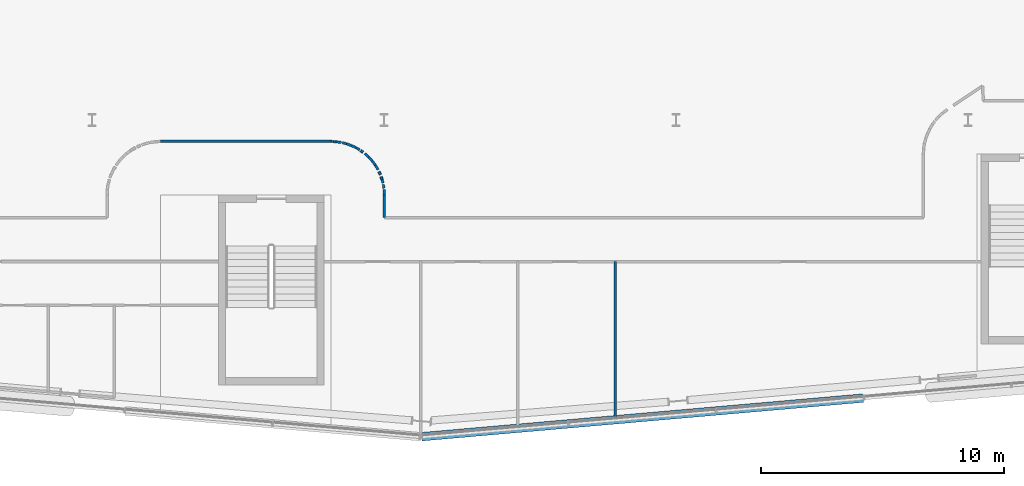
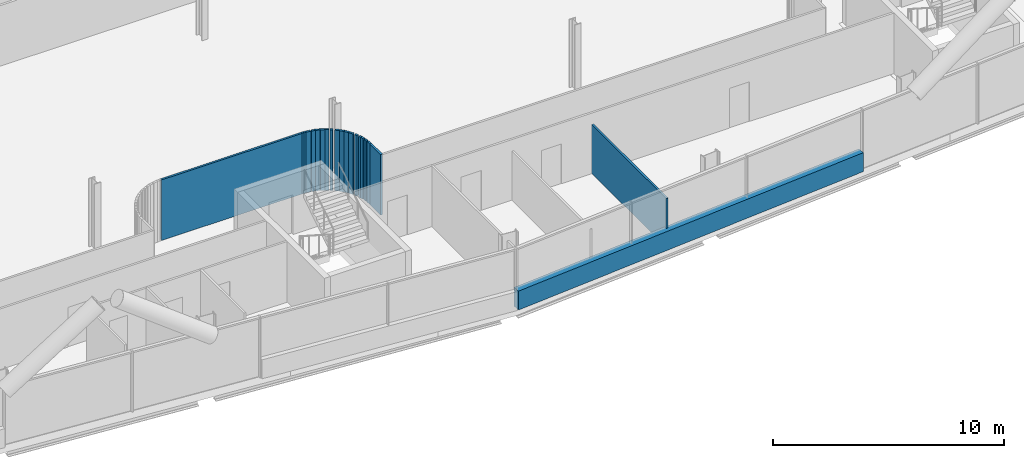
# One storey, part 16 of 30: 21 walls.
"""IFC4 building model written with IfcOpenShell, lengths in metres."""

from ifc_helpers import new_model, si_unit, direction, frame, frame_2d, origin, place, context, subcontext, project, spatial, rectangle, extrude, material, layer, layer_set, type_object, element, save


model = new_model("IFC4")

# Units and contexts
model_context = context("Model", 3, precision=1e-05, world=origin(), true_north=direction((0.0, 1.0)))
body_context = subcontext(model_context, "Body", "Model", "MODEL_VIEW")
ifc_project = project(units=[si_unit("LENGTHUNIT", "METRE"), si_unit("AREAUNIT", "SQUARE_METRE"), si_unit("VOLUMEUNIT", "CUBIC_METRE"), si_unit("PLANEANGLEUNIT", "RADIAN"), si_unit("MASSUNIT", "GRAM", prefix="KILO")], contexts=[model_context])

# Site, building, storey
site_placement = place(None, origin())
site = spatial("IfcSite", under=ifc_project, at=site_placement, CompositionType="ELEMENT")
building_placement = place(site_placement, origin())
building = spatial("IfcBuilding", under=site, at=building_placement, Name="Wharfspan Tower", CompositionType="ELEMENT")
storey_placement = place(building_placement, frame((0.0, 0.0, 100.300049)))
storey = spatial("IfcBuildingStorey", under=building, at=storey_placement, Name="L22", CompositionType="ELEMENT", Elevation=100.300049)

# Walls
ifc_material_1 = material(Name="Gypsum board on steel studs", Category="steel")
ifc_layer_1 = layer(ifc_material_1, 0.100098)
ifc_layer_set_1 = layer_set([ifc_layer_1], Name="Gypsum board on steel studs")
wall_type_1 = type_object("IfcWallType", Name="Compartment wall 100 EI 60", PredefinedType="PARTITIONING", material=ifc_layer_set_1)
wall_1_placement = place(storey_placement, frame((38.810059, 10.620117, 0.0), z_axis=(0.0, 0.0, 1.0), x_axis=(1.0, 0.0, 0.0)))
element("IfcWall", 1, at=wall_1_placement, inside=storey, type_object=wall_type_1, Name="Partition L22.w046", PredefinedType="PARTITIONING", context=body_context, shape_type="SweptSolid", body=[
    extrude(rectangle(XDim=7.0, YDim=0.100098, at=frame_2d((3.5, 0.0))), origin(), (0.0, 0.0, 1.0), 3.199951),
])
wall_2_placement = place(storey_placement, frame((45.909912, 10.61499, 0.0), z_axis=(0.0, 0.0, 1.0), x_axis=(-0.998681, 0.051277, 0.0)))
element("IfcWall", 2, at=wall_2_placement, inside=storey, type_object=wall_type_1, Name="Partition L22.w049", PredefinedType="PARTITIONING", context=body_context, shape_type="SweptSolid", body=[
    extrude(rectangle(XDim=0.100098, YDim=0.100098, at=frame_2d((0.050049, 0.0))), origin(), (0.0, 0.0, 1.0), 3.199951),
])
wall_3_placement = place(storey_placement, frame((46.024902, 10.60498, 0.0), z_axis=(0.0, 0.0, 1.0), x_axis=(-0.996234, 0.086721, 0.0)))
element("IfcWall", 3, at=wall_3_placement, inside=storey, type_object=wall_type_1, Name="Partition L22.w050", PredefinedType="PARTITIONING", context=body_context, shape_type="SweptSolid", body=[
    extrude(rectangle(XDim=0.115479, YDim=0.100098, at=frame_2d((0.057617, 0.0))), origin(), (0.0, 0.0, 1.0), 3.199951),
])
wall_4_placement = place(storey_placement, frame((46.23999, 10.574951, 0.0), z_axis=(0.0, 0.0, 1.0), x_axis=(-0.990394, 0.138273, 0.0)))
element("IfcWall", 4, at=wall_4_placement, inside=storey, type_object=wall_type_1, Name="Partition L22.w051", PredefinedType="PARTITIONING", context=body_context, shape_type="SweptSolid", body=[
    extrude(rectangle(XDim=0.217285, YDim=0.100098, at=frame_2d((0.108643, 0.0))), origin(), (0.0, 0.0, 1.0), 3.199951),
])
wall_5_placement = place(storey_placement, frame((46.449951, 10.524902, 0.0), z_axis=(0.0, 0.0, 1.0), x_axis=(-0.971812, 0.235765, 0.0)))
element("IfcWall", 5, at=wall_5_placement, inside=storey, type_object=wall_type_1, Name="Partition L22.w052", PredefinedType="PARTITIONING", context=body_context, shape_type="SweptSolid", body=[
    extrude(rectangle(XDim=0.169922, YDim=0.100098, at=frame_2d((0.084961, 0.0))), origin(), (0.0, 0.0, 1.0), 3.199951),
])
wall_6_placement = place(storey_placement, frame((46.649902, 10.449951, 0.0), z_axis=(0.0, 0.0, 1.0), x_axis=(-0.936373, 0.350997, 0.0)))
element("IfcWall", 6, at=wall_6_placement, inside=storey, type_object=wall_type_1, Name="Partition L22.w053", PredefinedType="PARTITIONING", context=body_context, shape_type="SweptSolid", body=[
    extrude(rectangle(XDim=0.213623, YDim=0.100098, at=frame_2d((0.106934, 0.0))), origin(), (0.0, 0.0, 1.0), 3.199951),
])
wall_7_placement = place(storey_placement, frame((46.850098, 10.360107, 0.0), z_axis=(0.0, 0.0, 1.0), x_axis=(-0.908296, 0.418339, 0.0)))
element("IfcWall", 7, at=wall_7_placement, inside=storey, type_object=wall_type_1, Name="Partition L22.w054", PredefinedType="PARTITIONING", context=body_context, shape_type="SweptSolid", body=[
    extrude(rectangle(XDim=0.214844, YDim=0.100098, at=frame_2d((0.107422, 0.0))), origin(), (0.0, 0.0, 1.0), 3.199951),
])
wall_8_placement = place(storey_placement, frame((46.995117, 10.27002, 0.0), z_axis=(0.0, 0.0, 1.0), x_axis=(-0.849441, 0.527683, 0.0)))
element("IfcWall", 8, at=wall_8_placement, inside=storey, type_object=wall_type_1, Name="Partition L22.w055", PredefinedType="PARTITIONING", context=body_context, shape_type="SweptSolid", body=[
    extrude(rectangle(XDim=0.170654, YDim=0.100098, at=frame_2d((0.085449, 0.0))), origin(), (0.0, 0.0, 1.0), 3.199951),
])
wall_9_placement = place(storey_placement, frame((47.129883, 10.175049, 0.0), z_axis=(0.0, 0.0, 1.0), x_axis=(-0.804696, 0.593696, 0.0)))
element("IfcWall", 9, at=wall_9_placement, inside=storey, type_object=wall_type_1, Name="Partition L22.w056", PredefinedType="PARTITIONING", context=body_context, shape_type="SweptSolid", body=[
    extrude(rectangle(XDim=0.11792, YDim=0.100098, at=frame_2d((0.059082, 0.0))), origin(), (0.0, 0.0, 1.0), 3.199951),
])
wall_10_placement = place(storey_placement, frame((47.36499, 9.975098, 0.0), z_axis=(0.0, 0.0, 1.0), x_axis=(-0.740762, 0.671775, 0.0)))
element("IfcWall", 10, at=wall_10_placement, inside=storey, type_object=wall_type_1, Name="Partition L22.w057", PredefinedType="PARTITIONING", context=body_context, shape_type="SweptSolid", body=[
    extrude(rectangle(XDim=0.21582, YDim=0.100098, at=frame_2d((0.10791, 0.0))), origin(), (0.0, 0.0, 1.0), 3.199951),
])
wall_11_placement = place(storey_placement, frame((47.51001, 9.814941, 0.0), z_axis=(0.0, 0.0, 1.0), x_axis=(-0.67121, 0.741269, 0.0)))
element("IfcWall", 11, at=wall_11_placement, inside=storey, type_object=wall_type_1, Name="Partition L22.w059", PredefinedType="PARTITIONING", context=body_context, shape_type="SweptSolid", body=[
    extrude(rectangle(XDim=0.216064, YDim=0.100098, at=frame_2d((0.10791, 0.0))), origin(), (0.0, 0.0, 1.0), 3.199951),
])
wall_12_placement = place(storey_placement, frame((47.639893, 9.639893, 0.0), z_axis=(0.0, 0.0, 1.0), x_axis=(-0.595869, 0.803079, 0.0)))
element("IfcWall", 12, at=wall_12_placement, inside=storey, type_object=wall_type_1, Name="Partition L22.w060", PredefinedType="PARTITIONING", context=body_context, shape_type="SweptSolid", body=[
    extrude(rectangle(XDim=0.218018, YDim=0.100098, at=frame_2d((0.108887, 0.0))), origin(), (0.0, 0.0, 1.0), 3.199951),
])
wall_13_placement = place(storey_placement, frame((47.75, 9.455078, 0.0), z_axis=(0.0, 0.0, 1.0), x_axis=(-0.511823, 0.859091, 0.0)))
element("IfcWall", 13, at=wall_13_placement, inside=storey, type_object=wall_type_1, Name="Partition L22.w061", PredefinedType="PARTITIONING", context=body_context, shape_type="SweptSolid", body=[
    extrude(rectangle(XDim=0.215088, YDim=0.100098, at=frame_2d((0.107422, 0.0))), origin(), (0.0, 0.0, 1.0), 3.199951),
])
wall_14_placement = place(storey_placement, frame((47.844971, 9.26001, 0.0), z_axis=(0.0, 0.0, 1.0), x_axis=(-0.431047, 0.902325, 0.0)))
element("IfcWall", 14, at=wall_14_placement, inside=storey, type_object=wall_type_1, Name="Partition L22.w062", PredefinedType="PARTITIONING", context=body_context, shape_type="SweptSolid", body=[
    extrude(rectangle(XDim=0.127441, YDim=0.100098, at=frame_2d((0.063721, 0.0))), origin(), (0.0, 0.0, 1.0), 3.199951),
])
wall_15_placement = place(storey_placement, frame((47.915039, 9.054932, 0.0), z_axis=(0.0, 0.0, 1.0), x_axis=(-0.341744, 0.939796, 0.0)))
element("IfcWall", 15, at=wall_15_placement, inside=storey, type_object=wall_type_1, Name="Partition L22.w063", PredefinedType="PARTITIONING", context=body_context, shape_type="SweptSolid", body=[
    extrude(rectangle(XDim=0.117188, YDim=0.100098, at=frame_2d((0.058594, 0.0))), origin(), (0.0, 0.0, 1.0), 3.199951),
])
wall_16_placement = place(storey_placement, frame((47.955078, 8.905029, 0.0), z_axis=(0.0, 0.0, 1.0), x_axis=(-0.258054, 0.966129, 0.0)))
element("IfcWall", 16, at=wall_16_placement, inside=storey, type_object=wall_type_1, Name="Partition L22.w064", PredefinedType="PARTITIONING", context=body_context, shape_type="SweptSolid", body=[
    extrude(rectangle(XDim=0.155273, YDim=0.100098, at=frame_2d((0.077637, 0.0))), origin(), (0.0, 0.0, 1.0), 3.199951),
])
wall_17_placement = place(storey_placement, frame((47.98999, 8.695068, 0.0), z_axis=(0.0, 0.0, 1.0), x_axis=(-0.132375, 0.991198, 0.0)))
element("IfcWall", 17, at=wall_17_placement, inside=storey, type_object=wall_type_1, Name="Partition L22.w065", PredefinedType="PARTITIONING", context=body_context, shape_type="SweptSolid", body=[
    extrude(rectangle(XDim=0.151123, YDim=0.100098, at=frame_2d((0.075684, 0.0))), origin(), (0.0, 0.0, 1.0), 3.199951),
])
wall_18_placement = place(storey_placement, frame((48.01001, 7.485107, 0.0), z_axis=(0.0, 0.0, 1.0), x_axis=(0.0, 1.0, 0.0)))
element("IfcWall", 18, at=wall_18_placement, inside=storey, type_object=wall_type_1, Name="Partition L22.w066", PredefinedType="PARTITIONING", context=body_context, shape_type="SweptSolid", body=[
    extrude(rectangle(XDim=0.929932, YDim=0.100098, at=frame_2d((0.464844, 0.0))), origin(), (0.0, 0.0, 1.0), 3.199951),
])
wall_19_placement = place(storey_placement, frame((48.01001, 8.415039, 0.0), z_axis=(0.0, 0.0, 1.0), x_axis=(-0.045458, 0.998967, 0.0)))
element("IfcWall", 19, at=wall_19_placement, inside=storey, type_object=wall_type_1, Name="Partition L22.w068", PredefinedType="PARTITIONING", context=body_context, shape_type="SweptSolid", body=[
    extrude(rectangle(XDim=0.220215, YDim=0.100098, at=frame_2d((0.110107, 0.0))), origin(), (0.0, 0.0, 1.0), 3.199951),
])
wall_20_placement = place(storey_placement, frame((57.5, -0.79834, 0.0), z_axis=(0.0, 0.0, 1.0), x_axis=(0.0, 1.0, 0.0)))
element("IfcWall", 20, at=wall_20_placement, inside=storey, type_object=wall_type_1, Name="Partition L22.w073", PredefinedType="PARTITIONING", context=body_context, shape_type="SweptSolid", body=[
    extrude(rectangle(XDim=6.478271, YDim=0.100098, at=frame_2d((3.239258, 0.0))), origin(), (0.0, 0.0, 1.0), 2.579834),
])
ifc_material_2 = material(Name="Concrete C40/50", Category="concrete")
ifc_layer_2 = layer(ifc_material_2, 0.350098)
ifc_layer_set_2 = layer_set([ifc_layer_2], Name="Concrete C40/50")
wall_type_2 = type_object("IfcWallType", Name="SPANDREL EXPOSED CONCRETE 350", PredefinedType="SOLIDWALL", material=ifc_layer_set_2)
wall_21_placement = place(storey_placement, frame((49.54541, -1.519287, 0.0), z_axis=(0.0, 0.0, 1.0), x_axis=(0.996191, 0.087151, 0.0)))
element("IfcWall", 21, at=wall_21_placement, inside=storey, type_object=wall_type_2, Name="Spandrel upstand L22 S2 1", PredefinedType="SOLIDWALL", context=body_context, shape_type="SweptSolid", body=[
    extrude(rectangle(XDim=18.20874, YDim=0.350098, at=frame_2d((9.104492, 0.0))), origin(), (0.0, 0.0, 1.0), 1.0),
])

save(model, "model.ifc")
